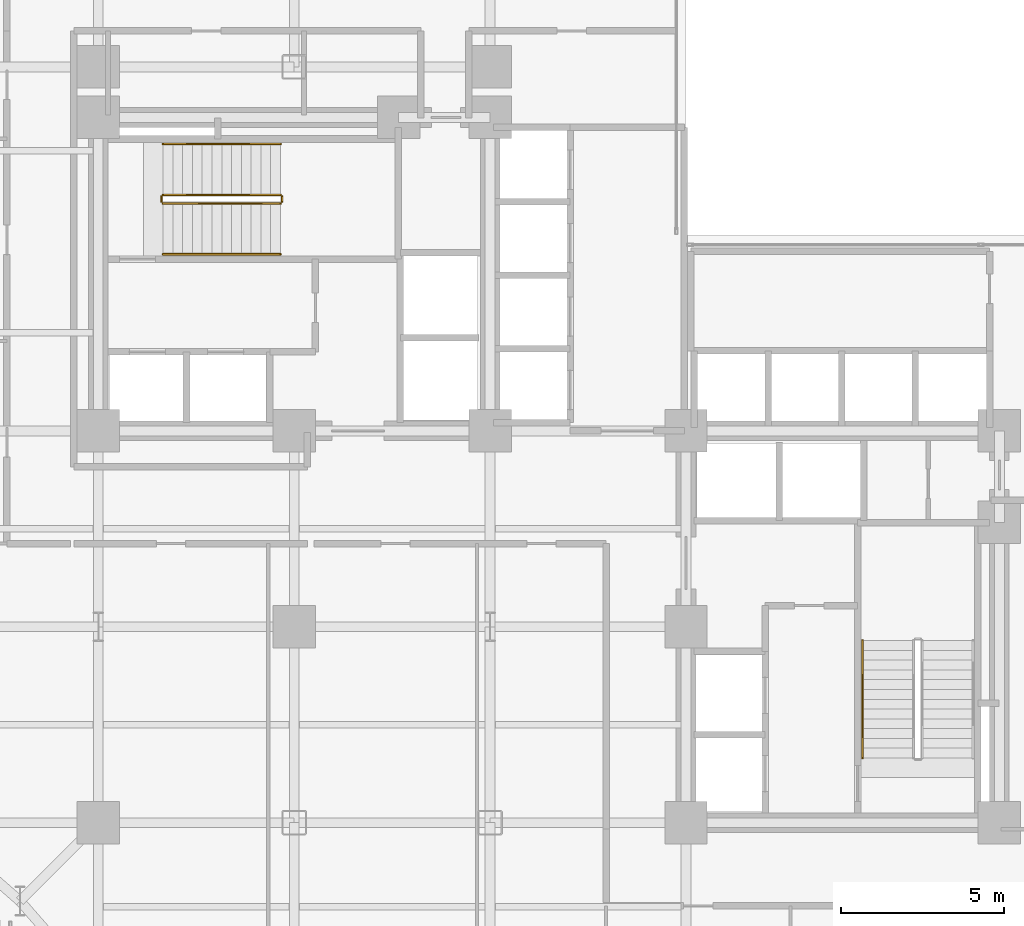
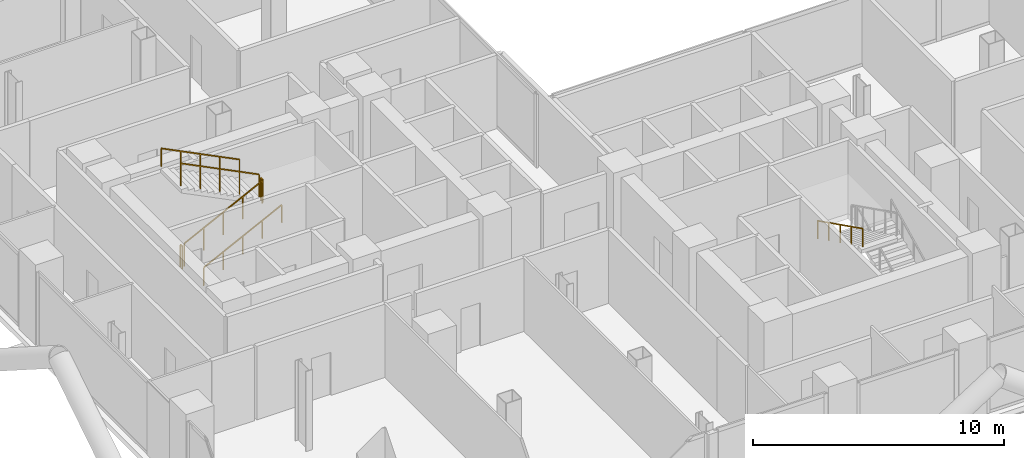
# One storey, part 25 of 27: 7 railings.
"""IFC4 building model written with IfcOpenShell, lengths in metres."""

from ifc_helpers import new_model, si_unit, direction, frame, origin, origin_2d, place, context, subcontext, project, spatial, rectangle, extrude, material, type_object, element, save


model = new_model("IFC4")

# Units and contexts
model_context = context("Model", 3, precision=1e-05, world=origin(), true_north=direction((0.0, 1.0)))
body_context = subcontext(model_context, "Body", "Model", "MODEL_VIEW")
ifc_project = project(units=[si_unit("LENGTHUNIT", "METRE"), si_unit("AREAUNIT", "SQUARE_METRE"), si_unit("VOLUMEUNIT", "CUBIC_METRE"), si_unit("PLANEANGLEUNIT", "RADIAN"), si_unit("MASSUNIT", "GRAM", prefix="KILO"), si_unit("THERMODYNAMICTEMPERATUREUNIT", "KELVIN"), si_unit("POWERUNIT", "WATT")], contexts=[model_context])

# Site, building, storey
site_placement = place(None, origin())
site = spatial("IfcSite", under=ifc_project, at=site_placement, CompositionType="ELEMENT")
building_placement = place(site_placement, origin())
building = spatial("IfcBuilding", under=site, at=building_placement, Name="Svarakhadi Broadcast Tower", CompositionType="ELEMENT")
storey_placement = place(building_placement, frame((0.0, 0.0, 90.89990234375)))
storey = spatial("IfcBuildingStorey", under=building, at=storey_placement, Name="L21", CompositionType="ELEMENT", Elevation=90.89990234375)

# Railings
ifc_material = material(Name="Anodised Bronze Aluminium AA 6063-T6", Category="aluminium")
railing_type_1 = type_object("IfcRailingType", Name="Guard_Stair_GR01", PredefinedType="GUARDRAIL", material=ifc_material)
railing_1_placement = place(storey_placement, frame((7.97998046875, 24.969970703125, 0.150146484375)))
element("IfcRailing", 1, at=railing_1_placement, inside=storey, type_object=railing_type_1, Name="L21 ST-01 stair guard 1", PredefinedType="GUARDRAIL", context=body_context, shape_type="SweptSolid", body=[
    extrude(rectangle(XDim=0.048095703125, YDim=0.048095703125, at=origin_2d()), frame((0.0, 0.0, 1.09619140625), z_axis=(0.894427191, 0.0, 0.4472135955), x_axis=(0.0, 1.0, 0.0)), (0.0, 0.0, 1.0), 4.025146484375),
    extrude(rectangle(XDim=0.0419921875, YDim=0.0419921875, at=origin_2d()), origin(), (0.0, 0.0, 1.0), 1.072021484375),
    extrude(rectangle(XDim=0.0419921875, YDim=0.0419921875, at=origin_2d()), frame((0.89990234375, 0.0, 0.449951171875)), (0.0, 0.0, 1.0), 1.072021484375),
    extrude(rectangle(XDim=0.0419921875, YDim=0.0419921875, at=origin_2d()), frame((1.800048828125, 0.0, 0.89990234375)), (0.0, 0.0, 1.0), 1.072021484375),
    extrude(rectangle(XDim=0.0419921875, YDim=0.0419921875, at=origin_2d()), frame((2.7001953125, 0.0, 1.35009765625)), (0.0, 0.0, 1.0), 1.072021484375),
    extrude(rectangle(XDim=0.0419921875, YDim=0.0419921875, at=origin_2d()), frame((3.60009765625, 0.0, 1.800048828125)), (0.0, 0.0, 1.0), 1.072021484375),
])
railing_2_placement = place(storey_placement, frame((11.6298828125, 25.02001953125, 1.9501953125)))
element("IfcRailing", 2, at=railing_2_placement, inside=storey, type_object=railing_type_1, Name="L21 ST-01 stair guard 2", PredefinedType="GUARDRAIL", context=body_context, shape_type="SweptSolid", body=[
    extrude(rectangle(XDim=0.048095703125, YDim=0.048095703125, at=origin_2d()), frame((0.0, 0.0, 1.09619140625), z_axis=(0.0, 1.0, 0.0), x_axis=(-1.0, 0.0, 0.0)), (0.0, 0.0, 1.0), 0.159912109375),
    extrude(rectangle(XDim=0.0419921875, YDim=0.0419921875, at=origin_2d()), origin(), (0.0, 0.0, 1.0), 1.072021484375),
    extrude(rectangle(XDim=0.0419921875, YDim=0.0419921875, at=origin_2d()), frame((0.0, 0.159912109375, 0.0)), (0.0, 0.0, 1.0), 1.072021484375),
])
railing_3_placement = place(storey_placement, frame((11.580078125, 25.22998046875, 2.10009765625)))
element("IfcRailing", 3, at=railing_3_placement, inside=storey, type_object=railing_type_1, Name="L21 ST-01 stair guard 3", PredefinedType="GUARDRAIL", context=body_context, shape_type="SweptSolid", body=[
    extrude(rectangle(XDim=0.048095703125, YDim=0.048095703125, at=origin_2d()), frame((0.0, 0.0, 1.09619140625), z_axis=(-0.894427191, 0.0, 0.4472135955), x_axis=(0.0, -1.0, 0.0)), (0.0, 0.0, 1.0), 4.025146484375),
    extrude(rectangle(XDim=0.0419921875, YDim=0.0419921875, at=origin_2d()), origin(), (0.0, 0.0, 1.0), 1.072021484375),
    extrude(rectangle(XDim=0.0419921875, YDim=0.0419921875, at=origin_2d()), frame((-0.89990234375, 0.0, 0.449951171875)), (0.0, 0.0, 1.0), 1.072021484375),
    extrude(rectangle(XDim=0.0419921875, YDim=0.0419921875, at=origin_2d()), frame((-1.800048828125, 0.0, 0.89990234375)), (0.0, 0.0, 1.0), 1.072021484375),
    extrude(rectangle(XDim=0.0419921875, YDim=0.0419921875, at=origin_2d()), frame((-2.7001953125, 0.0, 1.35009765625)), (0.0, 0.0, 1.0), 1.072021484375),
    extrude(rectangle(XDim=0.0419921875, YDim=0.0419921875, at=origin_2d()), frame((-3.60009765625, 0.0, 1.800048828125)), (0.0, 0.0, 1.0), 1.072021484375),
])
railing_4_placement = place(storey_placement, frame((7.929931640625, 25.02001953125, 0.0)))
element("IfcRailing", 4, at=railing_4_placement, inside=storey, type_object=railing_type_1, Name="L21 ST-01 stair guard 4", PredefinedType="GUARDRAIL", context=body_context, shape_type="SweptSolid", body=[
    extrude(rectangle(XDim=0.048095703125, YDim=0.048095703125, at=origin_2d()), frame((0.0, 0.0, 1.09619140625), z_axis=(0.0, 1.0, 0.0), x_axis=(-1.0, 0.0, 0.0)), (0.0, 0.0, 1.0), 0.159912109375),
    extrude(rectangle(XDim=0.0419921875, YDim=0.0419921875, at=origin_2d()), origin(), (0.0, 0.0, 1.0), 1.072021484375),
    extrude(rectangle(XDim=0.0419921875, YDim=0.0419921875, at=origin_2d()), frame((0.0, 0.159912109375, 0.0)), (0.0, 0.0, 1.0), 1.072021484375),
])
railing_type_2 = type_object("IfcRailingType", Name="Handrail_Stair_HR01", PredefinedType="HANDRAIL", material=ifc_material)
railing_5_placement = place(storey_placement, frame((7.97998046875, 23.409912109375, 0.150146484375)))
element("IfcRailing", 5, at=railing_5_placement, inside=storey, type_object=railing_type_2, Name="L21 ST-01 stair handrail 1", PredefinedType="HANDRAIL", context=body_context, shape_type="SweptSolid", body=[
    extrude(rectangle(XDim=0.048095703125, YDim=0.048095703125, at=origin_2d()), frame((0.0, 0.0, 0.8759765625), z_axis=(0.894427191, 0.0, 0.4472135955), x_axis=(0.0, 1.0, 0.0)), (0.0, 0.0, 1.0), 4.025146484375),
    extrude(rectangle(XDim=0.0419921875, YDim=0.0419921875, at=origin_2d()), origin(), (0.0, 0.0, 1.0), 0.851806640625),
    extrude(rectangle(XDim=0.0419921875, YDim=0.0419921875, at=origin_2d()), frame((0.89990234375, 0.0, 0.449951171875)), (0.0, 0.0, 1.0), 0.851806640625),
    extrude(rectangle(XDim=0.0419921875, YDim=0.0419921875, at=origin_2d()), frame((1.800048828125, 0.0, 0.89990234375)), (0.0, 0.0, 1.0), 0.851806640625),
    extrude(rectangle(XDim=0.0419921875, YDim=0.0419921875, at=origin_2d()), frame((2.7001953125, 0.0, 1.35009765625)), (0.0, 0.0, 1.0), 0.851806640625),
    extrude(rectangle(XDim=0.0419921875, YDim=0.0419921875, at=origin_2d()), frame((3.60009765625, 0.0, 1.800048828125)), (0.0, 0.0, 1.0), 0.851806640625),
])
railing_6_placement = place(storey_placement, frame((11.580078125, 26.7900390625, 2.10009765625)))
element("IfcRailing", 6, at=railing_6_placement, inside=storey, type_object=railing_type_2, Name="L21 ST-01 stair handrail 2", PredefinedType="HANDRAIL", context=body_context, shape_type="SweptSolid", body=[
    extrude(rectangle(XDim=0.048095703125, YDim=0.048095703125, at=origin_2d()), frame((0.0, 0.0, 0.8759765625), z_axis=(-0.894427191, 0.0, 0.4472135955), x_axis=(0.0, -1.0, 0.0)), (0.0, 0.0, 1.0), 4.025146484375),
    extrude(rectangle(XDim=0.0419921875, YDim=0.0419921875, at=origin_2d()), origin(), (0.0, 0.0, 1.0), 0.851806640625),
    extrude(rectangle(XDim=0.0419921875, YDim=0.0419921875, at=origin_2d()), frame((-0.89990234375, 0.0, 0.449951171875)), (0.0, 0.0, 1.0), 0.851806640625),
    extrude(rectangle(XDim=0.0419921875, YDim=0.0419921875, at=origin_2d()), frame((-1.800048828125, 0.0, 0.89990234375)), (0.0, 0.0, 1.0), 0.851806640625),
    extrude(rectangle(XDim=0.0419921875, YDim=0.0419921875, at=origin_2d()), frame((-2.7001953125, 0.0, 1.35009765625)), (0.0, 0.0, 1.0), 0.851806640625),
    extrude(rectangle(XDim=0.0419921875, YDim=0.0419921875, at=origin_2d()), frame((-3.60009765625, 0.0, 1.800048828125)), (0.0, 0.0, 1.0), 0.851806640625),
])
railing_7_placement = place(storey_placement, frame((29.409912109375, 11.580078125, 2.10009765625)))
element("IfcRailing", 7, at=railing_7_placement, inside=storey, type_object=railing_type_2, Name="L21 ST-02 stair handrail 2", PredefinedType="HANDRAIL", context=body_context, shape_type="SweptSolid", body=[
    extrude(rectangle(XDim=0.048095703125, YDim=0.048095703125, at=origin_2d()), frame((0.0, 0.0, 0.8759765625), z_axis=(0.0, -0.894427191, 0.4472135955), x_axis=(1.0, 0.0, 0.0)), (0.0, 0.0, 1.0), 4.025146484375),
    extrude(rectangle(XDim=0.0419921875, YDim=0.0419921875, at=origin_2d()), origin(), (0.0, 0.0, 1.0), 0.851806640625),
    extrude(rectangle(XDim=0.0419921875, YDim=0.0419921875, at=origin_2d()), frame((0.0, -0.89990234375, 0.449951171875)), (0.0, 0.0, 1.0), 0.851806640625),
    extrude(rectangle(XDim=0.0419921875, YDim=0.0419921875, at=origin_2d()), frame((0.0, -1.800048828125, 0.89990234375)), (0.0, 0.0, 1.0), 0.851806640625),
    extrude(rectangle(XDim=0.0419921875, YDim=0.0419921875, at=origin_2d()), frame((0.0, -2.7001953125, 1.35009765625)), (0.0, 0.0, 1.0), 0.851806640625),
    extrude(rectangle(XDim=0.0419921875, YDim=0.0419921875, at=origin_2d()), frame((0.0, -3.60009765625, 1.800048828125)), (0.0, 0.0, 1.0), 0.851806640625),
])

save(model, "model.ifc")
